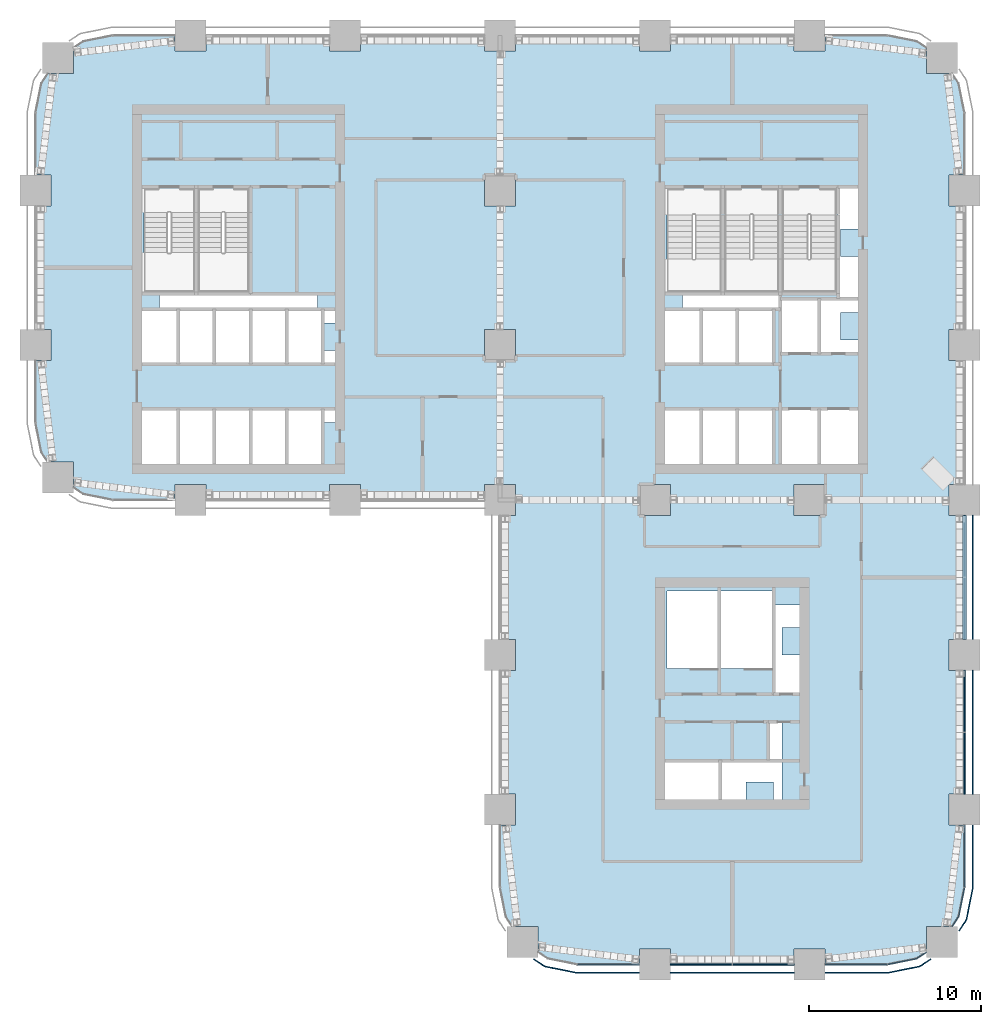
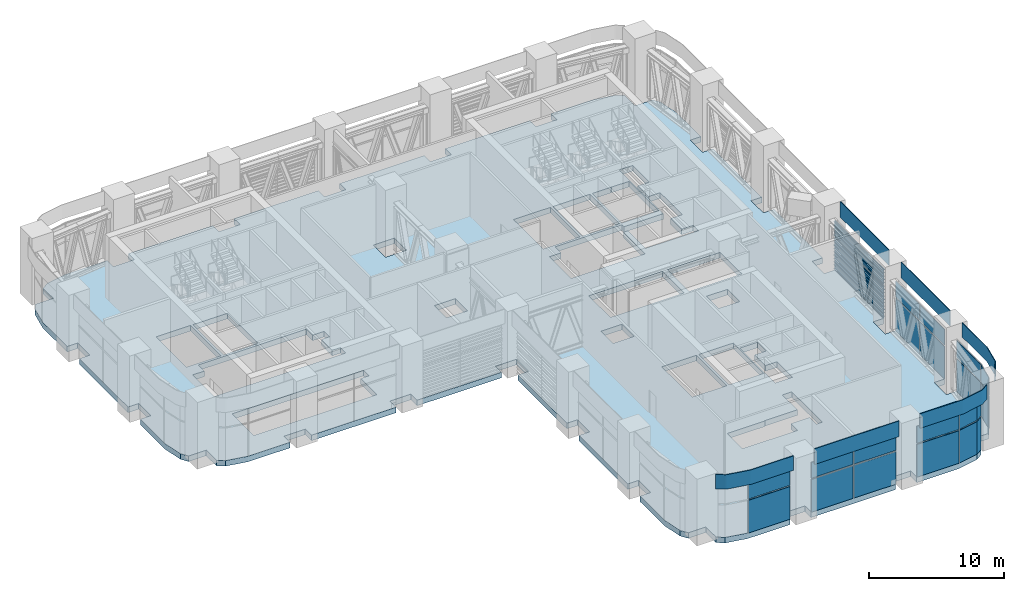
# One storey, part 11 of 24: 43 plates, 1 slab, 6 elements without a shape of their own.
"""IFC4 building model written with IfcOpenShell, lengths in metres."""

from ifc_helpers import new_model, si_unit, direction, frame, origin, origin_2d, place, context, subcontext, project, spatial, polyline, rectangle, outline, extrude, material, layer, layer_set, type_object, element, aggregate, save


model = new_model("IFC4")

# Units and contexts
model_context = context("Model", 3, precision=1e-05, world=origin(), true_north=direction((0.0, 1.0)))
body_context = subcontext(model_context, "Body", "Model", "MODEL_VIEW")
ifc_project = project(units=[si_unit("LENGTHUNIT", "METRE"), si_unit("AREAUNIT", "SQUARE_METRE"), si_unit("VOLUMEUNIT", "CUBIC_METRE"), si_unit("PLANEANGLEUNIT", "RADIAN"), si_unit("MASSUNIT", "GRAM", prefix="KILO")], contexts=[model_context])

# Site, building, storey
site_placement = place(None, origin())
site = spatial("IfcSite", under=ifc_project, at=site_placement, CompositionType="ELEMENT")
building_placement = place(site_placement, origin())
building = spatial("IfcBuilding", under=site, at=building_placement, Name="Tessera Arch", CompositionType="ELEMENT")
storey_placement = place(building_placement, frame((0.0, 0.0, 123.39990234375)))
storey = spatial("IfcBuildingStorey", under=building, at=storey_placement, Name="L29", CompositionType="ELEMENT", Elevation=123.39990234375)

# Curtain wall, plates
ifc_material_1 = material(Name="CW7 curtain wall")
curtain_wall_type = type_object("IfcCurtainWallType", Name="CW7 curtain wall", PredefinedType="NOTDEFINED", material=ifc_material_1)
curtain_wall_1_placement = place(storey_placement, origin())
curtain_wall_1 = element("IfcCurtainWall", 1, at=curtain_wall_1_placement, inside=storey, type_object=curtain_wall_type, Name="CW7 curtain wall S0.27/0 L29", PredefinedType="NOTDEFINED")
ifc_material_2 = material(Name="Pale anodised aluminium panel", Category="aluminium")
ifc_layer_1 = layer(ifc_material_2, 0.06005859375)
ifc_layer_set_1 = layer_set([ifc_layer_1], Name="CW7 plant wall panel")
plate_type_1 = type_object("IfcPlateType", Name="CW7 plant wall panel", PredefinedType="CURTAIN_PANEL", material=ifc_layer_set_1)
plate_1_placement = place(storey_placement, frame((33.31494140625, 0.0, 0.000244140625), z_axis=(0.0, 0.0, 1.0), x_axis=(1.0, 0.0, 0.0)))
plate_1 = element("IfcPlate", 2, at=plate_1_placement, type_object=plate_type_1, Name="CW7 plant wall panel S0.27/0 1.1", PredefinedType="CURTAIN_PANEL", context=body_context, shape_type="SweptSolid", body=[
    extrude(rectangle(XDim=3.570068359375, YDim=0.06005859375, at=origin_2d()), origin(), (0.0, 0.0, 1.0), 2.93994140625),
])
plate_2_placement = place(storey_placement, frame((33.31494140625, 0.0, 3.06005859375), z_axis=(0.0, 0.0, 1.0), x_axis=(1.0, 0.0, 0.0)))
plate_2 = element("IfcPlate", 3, at=plate_2_placement, type_object=plate_type_1, Name="CW7 plant wall panel S0.27/0 1.2", PredefinedType="CURTAIN_PANEL", context=body_context, shape_type="SweptSolid", body=[
    extrude(rectangle(XDim=3.570068359375, YDim=0.06005859375, at=origin_2d()), origin(), (0.0, 0.0, 1.0), 1.52001953125),
])

curtain_wall_2_placement = place(storey_placement, origin())
curtain_wall_2 = element("IfcCurtainWall", 4, at=curtain_wall_2_placement, inside=storey, type_object=curtain_wall_type, Name="CW7 curtain wall S0.27/1 L29", PredefinedType="NOTDEFINED")
plate_3_placement = place(storey_placement, frame((38.68505859375, 0.0, 0.000244140625), z_axis=(0.0, 0.0, 1.0), x_axis=(1.0, 0.0, 0.0)))
plate_3 = element("IfcPlate", 5, at=plate_3_placement, type_object=plate_type_1, Name="CW7 plant wall panel S0.27/1 1.1.1", PredefinedType="CURTAIN_PANEL", context=body_context, shape_type="SweptSolid", body=[
    extrude(rectangle(XDim=3.570068359375, YDim=0.06005859375, at=origin_2d()), origin(), (0.0, 0.0, 1.0), 2.93994140625),
])
plate_4_placement = place(storey_placement, frame((38.68505859375, 0.0, 3.06005859375), z_axis=(0.0, 0.0, 1.0), x_axis=(1.0, 0.0, 0.0)))
plate_4 = element("IfcPlate", 6, at=plate_4_placement, type_object=plate_type_1, Name="CW7 plant wall panel S0.27/1 1.1.2", PredefinedType="CURTAIN_PANEL", context=body_context, shape_type="SweptSolid", body=[
    extrude(rectangle(XDim=3.570068359375, YDim=0.06005859375, at=origin_2d()), origin(), (0.0, 0.0, 1.0), 1.409912109375),
])
plate_5_placement = place(storey_placement, frame((42.31494140625, 0.0, 0.000244140625), z_axis=(0.0, 0.0, 1.0), x_axis=(1.0, 0.0, 0.0)))
plate_5 = element("IfcPlate", 7, at=plate_5_placement, type_object=plate_type_1, Name="CW7 plant wall panel S0.27/1 1.2.1", PredefinedType="CURTAIN_PANEL", context=body_context, shape_type="SweptSolid", body=[
    extrude(rectangle(XDim=3.570068359375, YDim=0.06005859375, at=origin_2d()), origin(), (0.0, 0.0, 1.0), 2.93994140625),
])
plate_6_placement = place(storey_placement, frame((42.31494140625, 0.0, 3.06005859375), z_axis=(0.0, 0.0, 1.0), x_axis=(1.0, 0.0, 0.0)))
plate_6 = element("IfcPlate", 8, at=plate_6_placement, type_object=plate_type_1, Name="CW7 plant wall panel S0.27/1 1.2.2", PredefinedType="CURTAIN_PANEL", context=body_context, shape_type="SweptSolid", body=[
    extrude(rectangle(XDim=3.570068359375, YDim=0.06005859375, at=origin_2d()), origin(), (0.0, 0.0, 1.0), 1.409912109375),
])

curtain_wall_3_placement = place(storey_placement, origin())
curtain_wall_3 = element("IfcCurtainWall", 9, at=curtain_wall_3_placement, inside=storey, type_object=curtain_wall_type, Name="CW7 curtain wall S0.27/2 L29", PredefinedType="NOTDEFINED")
plate_7_placement = place(storey_placement, frame((47.68505859375, 0.0, 0.000244140625), z_axis=(0.0, 0.0, 1.0), x_axis=(1.0, 0.0, 0.0)))
plate_7 = element("IfcPlate", 10, at=plate_7_placement, type_object=plate_type_1, Name="CW7 plant wall panel S0.27/2 1.1", PredefinedType="CURTAIN_PANEL", context=body_context, shape_type="SweptSolid", body=[
    extrude(rectangle(XDim=3.570068359375, YDim=0.06005859375, at=origin_2d()), origin(), (0.0, 0.0, 1.0), 2.93994140625),
])
plate_8_placement = place(storey_placement, origin())
plate_8 = element("IfcPlate", 11, at=plate_8_placement, type_object=plate_type_1, Name="CW7 curved plant wall panel S0.27/2 2.1", PredefinedType="CURTAIN_PANEL", context=body_context, shape_type="SweptSolid", body=[
    extrude(outline(polyline([(51.21044921875, 0.370849609375), (49.523681640625, 0.03515625), (49.53515625, -0.023681640625), (51.23388671875, 0.314208984375), (51.798583984375, 0.691650390625), (51.765380859375, 0.74169921875), (51.21044921875, 0.370849609375)])), origin(), (0.0, 0.0, 1.0), 2.940185546875),
])
plate_9_placement = place(storey_placement, frame((47.68505859375, 0.0, 3.06005859375), z_axis=(0.0, 0.0, 1.0), x_axis=(1.0, 0.0, 0.0)))
plate_9 = element("IfcPlate", 12, at=plate_9_placement, type_object=plate_type_1, Name="CW7 plant wall panel S0.27/2 1.2", PredefinedType="CURTAIN_PANEL", context=body_context, shape_type="SweptSolid", body=[
    extrude(rectangle(XDim=3.570068359375, YDim=0.06005859375, at=origin_2d()), origin(), (0.0, 0.0, 1.0), 1.52001953125),
])
plate_10_placement = place(storey_placement, frame((0.0, 0.0, 3.06005859375)))
plate_10 = element("IfcPlate", 13, at=plate_10_placement, type_object=plate_type_1, Name="CW7 curved plant wall panel S0.27/2 2.2", PredefinedType="CURTAIN_PANEL", context=body_context, shape_type="SweptSolid", body=[
    extrude(outline(polyline([(51.21044921875, 0.370849609375), (49.523681640625, 0.03515625), (49.53515625, -0.023681640625), (51.23388671875, 0.314208984375), (51.798583984375, 0.691650390625), (51.765380859375, 0.74169921875), (51.21044921875, 0.370849609375)])), origin(), (0.0, 0.0, 1.0), 1.52001953125),
])

curtain_wall_4_placement = place(storey_placement, origin())
curtain_wall_4 = element("IfcCurtainWall", 14, at=curtain_wall_4_placement, inside=storey, type_object=curtain_wall_type, Name="CW7 curtain wall E54.0/0 L29", PredefinedType="NOTDEFINED")
plate_11_placement = place(storey_placement, frame((54.0, 6.31494140625, 0.000244140625), z_axis=(0.0, 0.0, 1.0), x_axis=(0.0, 1.0, 0.0)))
plate_11 = element("IfcPlate", 15, at=plate_11_placement, type_object=plate_type_1, Name="CW7 plant wall panel E54.0/0 1.1", PredefinedType="CURTAIN_PANEL", context=body_context, shape_type="SweptSolid", body=[
    extrude(rectangle(XDim=3.570068359375, YDim=0.06005859375, at=origin_2d()), origin(), (0.0, 0.0, 1.0), 2.93994140625),
])
plate_12_placement = place(storey_placement, origin())
plate_12 = element("IfcPlate", 16, at=plate_12_placement, type_object=plate_type_1, Name="CW7 curved plant wall panel E54.0/0 2.1", PredefinedType="CURTAIN_PANEL", context=body_context, shape_type="SweptSolid", body=[
    extrude(outline(polyline([(53.629150390625, 2.78955078125), (53.25830078125, 2.234619140625), (53.308349609375, 2.201416015625), (53.685791015625, 2.76611328125), (54.023681640625, 4.46484375), (53.96484375, 4.476318359375), (53.629150390625, 2.78955078125)])), origin(), (0.0, 0.0, 1.0), 2.940185546875),
])
plate_13_placement = place(storey_placement, frame((54.0, 6.31494140625, 3.06005859375), z_axis=(0.0, 0.0, 1.0), x_axis=(0.0, 1.0, 0.0)))
plate_13 = element("IfcPlate", 17, at=plate_13_placement, type_object=plate_type_1, Name="CW7 plant wall panel E54.0/0 1.2", PredefinedType="CURTAIN_PANEL", context=body_context, shape_type="SweptSolid", body=[
    extrude(rectangle(XDim=3.570068359375, YDim=0.06005859375, at=origin_2d()), origin(), (0.0, 0.0, 1.0), 1.52001953125),
])
plate_14_placement = place(storey_placement, frame((0.0, 0.0, 3.06005859375)))
plate_14 = element("IfcPlate", 18, at=plate_14_placement, type_object=plate_type_1, Name="CW7 curved plant wall panel E54.0/0 2.2", PredefinedType="CURTAIN_PANEL", context=body_context, shape_type="SweptSolid", body=[
    extrude(outline(polyline([(53.629150390625, 2.78955078125), (53.25830078125, 2.234619140625), (53.308349609375, 2.201416015625), (53.685791015625, 2.76611328125), (54.023681640625, 4.46484375), (53.96484375, 4.476318359375), (53.629150390625, 2.78955078125)])), origin(), (0.0, 0.0, 1.0), 1.52001953125),
])

curtain_wall_5_placement = place(storey_placement, origin())
curtain_wall_5 = element("IfcCurtainWall", 19, at=curtain_wall_5_placement, inside=storey, type_object=curtain_wall_type, Name="CW7 curtain wall E54.0/1 L29", PredefinedType="NOTDEFINED")
plate_15_placement = place(storey_placement, frame((54.0, 11.68505859375, 0.000244140625), z_axis=(0.0, 0.0, 1.0), x_axis=(0.0, 1.0, 0.0)))
plate_15 = element("IfcPlate", 20, at=plate_15_placement, type_object=plate_type_1, Name="CW7 plant wall panel E54.0/1 1.1.1", PredefinedType="CURTAIN_PANEL", context=body_context, shape_type="SweptSolid", body=[
    extrude(rectangle(XDim=3.570068359375, YDim=0.06005859375, at=origin_2d()), origin(), (0.0, 0.0, 1.0), 2.93994140625),
])
plate_16_placement = place(storey_placement, frame((54.0, 11.68505859375, 3.06005859375), z_axis=(0.0, 0.0, 1.0), x_axis=(0.0, 1.0, 0.0)))
plate_16 = element("IfcPlate", 21, at=plate_16_placement, type_object=plate_type_1, Name="CW7 plant wall panel E54.0/1 1.1.2", PredefinedType="CURTAIN_PANEL", context=body_context, shape_type="SweptSolid", body=[
    extrude(rectangle(XDim=3.570068359375, YDim=0.06005859375, at=origin_2d()), origin(), (0.0, 0.0, 1.0), 1.409912109375),
])
plate_17_placement = place(storey_placement, frame((54.0, 15.31494140625, 0.000244140625), z_axis=(0.0, 0.0, 1.0), x_axis=(0.0, 1.0, 0.0)))
plate_17 = element("IfcPlate", 22, at=plate_17_placement, type_object=plate_type_1, Name="CW7 plant wall panel E54.0/1 1.2.1", PredefinedType="CURTAIN_PANEL", context=body_context, shape_type="SweptSolid", body=[
    extrude(rectangle(XDim=3.570068359375, YDim=0.06005859375, at=origin_2d()), origin(), (0.0, 0.0, 1.0), 2.93994140625),
])
plate_18_placement = place(storey_placement, frame((54.0, 15.31494140625, 3.06005859375), z_axis=(0.0, 0.0, 1.0), x_axis=(0.0, 1.0, 0.0)))
plate_18 = element("IfcPlate", 23, at=plate_18_placement, type_object=plate_type_1, Name="CW7 plant wall panel E54.0/1 1.2.2", PredefinedType="CURTAIN_PANEL", context=body_context, shape_type="SweptSolid", body=[
    extrude(rectangle(XDim=3.570068359375, YDim=0.06005859375, at=origin_2d()), origin(), (0.0, 0.0, 1.0), 1.409912109375),
])

curtain_wall_6_placement = place(storey_placement, origin())
curtain_wall_6 = element("IfcCurtainWall", 24, at=curtain_wall_6_placement, inside=storey, type_object=curtain_wall_type, Name="CW7 curtain wall E54.0/2 L29", PredefinedType="NOTDEFINED")
plate_19_placement = place(storey_placement, frame((54.0, 20.68505859375, 0.000244140625), z_axis=(0.0, 0.0, 1.0), x_axis=(0.0, 1.0, 0.0)))
plate_19 = element("IfcPlate", 25, at=plate_19_placement, type_object=plate_type_1, Name="CW7 plant wall panel E54.0/2 1.1.1", PredefinedType="CURTAIN_PANEL", context=body_context, shape_type="SweptSolid", body=[
    extrude(rectangle(XDim=3.570068359375, YDim=0.06005859375, at=origin_2d()), origin(), (0.0, 0.0, 1.0), 2.93994140625),
])
plate_20_placement = place(storey_placement, frame((54.0, 20.68505859375, 3.06005859375), z_axis=(0.0, 0.0, 1.0), x_axis=(0.0, 1.0, 0.0)))
plate_20 = element("IfcPlate", 26, at=plate_20_placement, type_object=plate_type_1, Name="CW7 plant wall panel E54.0/2 1.1.2", PredefinedType="CURTAIN_PANEL", context=body_context, shape_type="SweptSolid", body=[
    extrude(rectangle(XDim=3.570068359375, YDim=0.06005859375, at=origin_2d()), origin(), (0.0, 0.0, 1.0), 1.409912109375),
])
plate_21_placement = place(storey_placement, frame((54.0, 24.31494140625, 0.000244140625), z_axis=(0.0, 0.0, 1.0), x_axis=(0.0, 1.0, 0.0)))
plate_21 = element("IfcPlate", 27, at=plate_21_placement, type_object=plate_type_1, Name="CW7 plant wall panel E54.0/2 1.2.1", PredefinedType="CURTAIN_PANEL", context=body_context, shape_type="SweptSolid", body=[
    extrude(rectangle(XDim=3.570068359375, YDim=0.06005859375, at=origin_2d()), origin(), (0.0, 0.0, 1.0), 2.93994140625),
])
plate_22_placement = place(storey_placement, frame((54.0, 24.31494140625, 3.06005859375), z_axis=(0.0, 0.0, 1.0), x_axis=(0.0, 1.0, 0.0)))
plate_22 = element("IfcPlate", 28, at=plate_22_placement, type_object=plate_type_1, Name="CW7 plant wall panel E54.0/2 1.2.2", PredefinedType="CURTAIN_PANEL", context=body_context, shape_type="SweptSolid", body=[
    extrude(rectangle(XDim=3.570068359375, YDim=0.06005859375, at=origin_2d()), origin(), (0.0, 0.0, 1.0), 1.409912109375),
])

# Plate
ifc_material_3 = material(Name="Pale anodised aluminium panel", Category="aluminium")
ifc_layer_2 = layer(ifc_material_3, 0.06005859375)
ifc_layer_set_2 = layer_set([ifc_layer_2], Name="CW7 spandrel panel")
plate_type_2 = type_object("IfcPlateType", Name="CW7 spandrel panel", PredefinedType="CURTAIN_PANEL", material=ifc_layer_set_2)
plate_23_placement = place(storey_placement, frame((0.0, 0.0, 4.7001953125)))
plate_23 = element("IfcPlate", 29, at=plate_23_placement, type_object=plate_type_2, Name="CW7 spandrel panel S0.27/0", PredefinedType="CURTAIN_PANEL", context=body_context, shape_type="SweptSolid", body=[
    extrude(outline(polyline([(29.52734375, -0.03125), (28.968017578125, 0.342529296875), (28.9345703125, 0.292724609375), (29.4951171875, -0.08203125), (29.537353515625, -0.107177734375), (29.582763671875, -0.128662109375), (29.6298828125, -0.1455078125), (29.677734375, -0.157470703125), (31.401123046875, -0.500244140625), (31.449951171875, -0.507568359375), (31.499267578125, -0.510009765625), (35.10009765625, -0.510009765625), (35.10009765625, -0.449951171875), (31.500732421875, -0.449951171875), (31.455810546875, -0.44775390625), (31.411376953125, -0.441162109375), (29.69091796875, -0.09912109375), (29.647216796875, -0.088134765625), (29.605712890625, -0.0732421875), (29.565673828125, -0.05419921875), (29.52734375, -0.03125)])), origin(), (0.0, 0.0, 1.0), 1.2998046875),
])

aggregate(curtain_wall_1, [plate_1, plate_2, plate_23])

plate_24_placement = place(storey_placement, frame((40.5, -0.47998046875, 4.59033203125), z_axis=(0.0, 0.0, 1.0), x_axis=(1.0, 0.0, 0.0)))
plate_24 = element("IfcPlate", 30, at=plate_24_placement, type_object=plate_type_2, Name="CW7 spandrel panel S0.27/1", PredefinedType="CURTAIN_PANEL", context=body_context, shape_type="SweptSolid", body=[
    extrude(rectangle(XDim=7.199951171875, YDim=0.06005859375, at=origin_2d()), origin(), (0.0, 0.0, 1.0), 1.409912109375),
])

aggregate(curtain_wall_2, [plate_3, plate_4, plate_5, plate_6, plate_24])

plate_25_placement = place(storey_placement, frame((0.0, 0.0, 4.7001953125)))
plate_25 = element("IfcPlate", 31, at=plate_25_placement, type_object=plate_type_2, Name="CW7 spandrel panel S0.27/2", PredefinedType="CURTAIN_PANEL", context=body_context, shape_type="SweptSolid", body=[
    extrude(outline(polyline([(49.499267578125, -0.449951171875), (45.89990234375, -0.449951171875), (45.89990234375, -0.510009765625), (49.500732421875, -0.510009765625), (49.550048828125, -0.507568359375), (49.598876953125, -0.500244140625), (51.322265625, -0.157470703125), (51.3701171875, -0.1455078125), (51.417236328125, -0.128662109375), (51.462646484375, -0.107177734375), (51.5048828125, -0.08203125), (52.0654296875, 0.292724609375), (52.031982421875, 0.342529296875), (51.47265625, -0.03125), (51.434326171875, -0.05419921875), (51.394287109375, -0.0732421875), (51.352783203125, -0.088134765625), (51.30908203125, -0.09912109375), (49.588623046875, -0.441162109375), (49.544189453125, -0.44775390625), (49.499267578125, -0.449951171875)])), origin(), (0.0, 0.0, 1.0), 1.2998046875),
])

aggregate(curtain_wall_3, [plate_7, plate_8, plate_9, plate_10, plate_25])

plate_26_placement = place(storey_placement, frame((0.0, 0.0, 4.7001953125)))
plate_26 = element("IfcPlate", 32, at=plate_26_placement, type_object=plate_type_2, Name="CW7 spandrel panel E54.0/0", PredefinedType="CURTAIN_PANEL", context=body_context, shape_type="SweptSolid", body=[
    extrude(outline(polyline([(54.03125, 2.52734375), (53.657470703125, 1.968017578125), (53.707275390625, 1.9345703125), (54.08203125, 2.4951171875), (54.107177734375, 2.537353515625), (54.128662109375, 2.582763671875), (54.1455078125, 2.6298828125), (54.157470703125, 2.677734375), (54.500244140625, 4.401123046875), (54.507568359375, 4.449951171875), (54.510009765625, 4.499267578125), (54.510009765625, 8.10009765625), (54.449951171875, 8.10009765625), (54.449951171875, 4.500732421875), (54.44775390625, 4.455810546875), (54.441162109375, 4.411376953125), (54.09912109375, 2.69091796875), (54.088134765625, 2.647216796875), (54.0732421875, 2.605712890625), (54.05419921875, 2.565673828125), (54.03125, 2.52734375)])), origin(), (0.0, 0.0, 1.0), 1.2998046875),
])

aggregate(curtain_wall_4, [plate_11, plate_12, plate_13, plate_14, plate_26])

plate_27_placement = place(storey_placement, frame((54.47998046875, 13.5, 4.59033203125), z_axis=(0.0, 0.0, 1.0), x_axis=(0.0, 1.0, 0.0)))
plate_27 = element("IfcPlate", 33, at=plate_27_placement, type_object=plate_type_2, Name="CW7 spandrel panel E54.0/1", PredefinedType="CURTAIN_PANEL", context=body_context, shape_type="SweptSolid", body=[
    extrude(rectangle(XDim=7.199951171875, YDim=0.06005859375, at=origin_2d()), origin(), (0.0, 0.0, 1.0), 1.409912109375),
])

aggregate(curtain_wall_5, [plate_15, plate_16, plate_17, plate_18, plate_27])

plate_28_placement = place(storey_placement, frame((54.47998046875, 22.5, 4.59033203125), z_axis=(0.0, 0.0, 1.0), x_axis=(0.0, 1.0, 0.0)))
plate_28 = element("IfcPlate", 34, at=plate_28_placement, type_object=plate_type_2, Name="CW7 spandrel panel E54.0/2", PredefinedType="CURTAIN_PANEL", context=body_context, shape_type="SweptSolid", body=[
    extrude(rectangle(XDim=7.199951171875, YDim=0.06005859375, at=origin_2d()), origin(), (0.0, 0.0, 1.0), 1.409912109375),
])

aggregate(curtain_wall_6, [plate_19, plate_20, plate_21, plate_22, plate_28])

# Slab
ifc_material_4 = material(Name="Concrete C40/50", Category="concrete")
ifc_layer_3 = layer(ifc_material_4, 0.5)
ifc_layer_set_3 = layer_set([ifc_layer_3], Name="Floor slab 500 Concrete C40/50")
slab_type = type_object("IfcSlabType", Name="Floor slab 500 Concrete C40/50", PredefinedType="FLOOR", material=ifc_layer_set_3)
slab_placement = place(storey_placement, frame((0.0, 0.0, -0.5)))
element("IfcSlab", 35, at=slab_placement, inside=storey, type_object=slab_type, Name="Floor slab L29 1", PredefinedType="FLOOR", context=body_context, shape_type="SweptSolid", body=[
    extrude(outline(polyline([(49.5, 54.0), (51.22216796875, 53.657470703125), (51.781982421875, 53.283447265625), (51.781982421875, 51.781982421875), (53.283447265625, 51.781982421875), (53.657470703125, 51.22216796875), (54.0, 49.5), (54.0, 45.89990234375), (53.10009765625, 45.89990234375), (53.10009765625, 44.10009765625), (54.0, 44.10009765625), (54.0, 36.89990234375), (53.10009765625, 36.89990234375), (53.10009765625, 35.10009765625), (54.0, 35.10009765625), (54.0, 27.89990234375), (53.10009765625, 27.89990234375), (53.10009765625, 26.10009765625), (54.0, 26.10009765625), (54.0, 18.89990234375), (53.10009765625, 18.89990234375), (53.10009765625, 17.10009765625), (54.0, 17.10009765625), (54.0, 9.89990234375), (53.10009765625, 9.89990234375), (53.10009765625, 8.10009765625), (54.0, 8.10009765625), (54.0, 4.5), (53.657470703125, 2.77783203125), (53.283447265625, 2.218017578125), (51.781982421875, 2.218017578125), (51.781982421875, 0.716552734375), (51.22216796875, 0.342529296875), (49.5, 0.0), (45.89990234375, 0.0), (45.89990234375, 0.89990234375), (44.10009765625, 0.89990234375), (44.10009765625, 0.0), (36.89990234375, 0.0), (36.89990234375, 0.89990234375), (35.10009765625, 0.89990234375), (35.10009765625, 0.0), (31.5, 0.0), (29.77783203125, 0.342529296875), (29.218017578125, 0.716552734375), (29.218017578125, 2.218017578125), (27.716552734375, 2.218017578125), (27.342529296875, 2.77783203125), (27.0, 4.5), (27.0, 8.10009765625), (27.89990234375, 8.10009765625), (27.89990234375, 9.89990234375), (27.0, 9.89990234375), (27.0, 17.10009765625), (27.89990234375, 17.10009765625), (27.89990234375, 18.89990234375), (27.0, 18.89990234375), (27.0, 26.10009765625), (27.89990234375, 26.10009765625), (27.89990234375, 27.89990234375), (26.10009765625, 27.89990234375), (26.10009765625, 27.0), (18.89990234375, 27.0), (18.89990234375, 27.89990234375), (17.10009765625, 27.89990234375), (17.10009765625, 27.0), (9.89990234375, 27.0), (9.89990234375, 27.89990234375), (8.10009765625, 27.89990234375), (8.10009765625, 27.0), (4.5, 27.0), (2.77783203125, 27.342529296875), (2.218017578125, 27.716552734375), (2.218017578125, 29.218017578125), (0.716552734375, 29.218017578125), (0.342529296875, 29.77783203125), (0.0, 31.5), (0.0, 35.10009765625), (0.89990234375, 35.10009765625), (0.89990234375, 36.89990234375), (0.0, 36.89990234375), (0.0, 44.10009765625), (0.89990234375, 44.10009765625), (0.89990234375, 45.89990234375), (0.0, 45.89990234375), (0.0, 49.5), (0.342529296875, 51.22216796875), (0.716552734375, 51.781982421875), (2.218017578125, 51.781982421875), (2.218017578125, 53.283447265625), (2.77783203125, 53.657470703125), (4.5, 54.0), (8.10009765625, 54.0), (8.10009765625, 53.10009765625), (9.89990234375, 53.10009765625), (9.89990234375, 54.0), (17.10009765625, 54.0), (17.10009765625, 53.10009765625), (18.89990234375, 53.10009765625), (18.89990234375, 54.0), (26.10009765625, 54.0), (26.10009765625, 53.10009765625), (27.89990234375, 53.10009765625), (27.89990234375, 54.0), (35.10009765625, 54.0), (35.10009765625, 53.10009765625), (36.89990234375, 53.10009765625), (36.89990234375, 54.0), (44.10009765625, 54.0), (44.10009765625, 53.10009765625), (45.89990234375, 53.10009765625), (45.89990234375, 54.0), (49.5, 54.0)]), holes=[polyline([(6.199951171875, 32.300048828125), (6.199951171875, 29.10009765625), (8.300048828125, 29.10009765625), (10.39990234375, 29.10009765625), (12.5, 29.10009765625), (14.60009765625, 29.10009765625), (16.699951171875, 29.10009765625), (16.699951171875, 31.5), (17.39990234375, 31.5), (17.39990234375, 32.300048828125), (16.699951171875, 32.300048828125), (14.60009765625, 32.300048828125), (12.5, 32.300048828125), (10.39990234375, 32.300048828125), (8.300048828125, 32.300048828125), (6.199951171875, 32.300048828125)]), polyline([(14.60009765625, 34.89990234375), (16.699951171875, 34.89990234375), (17.39990234375, 34.89990234375), (17.39990234375, 35.699951171875), (16.699951171875, 35.699951171875), (16.699951171875, 37.300048828125), (17.39990234375, 37.300048828125), (17.39990234375, 38.10009765625), (16.699951171875, 38.10009765625), (16.39990234375, 38.10009765625), (16.39990234375, 39.0), (7.199951171875, 39.0), (7.199951171875, 38.10009765625), (6.199951171875, 38.10009765625), (6.199951171875, 34.89990234375), (8.300048828125, 34.89990234375), (10.39990234375, 34.89990234375), (12.5, 34.89990234375), (14.60009765625, 34.89990234375)]), polyline([(11.0, 43.699951171875), (10.85009765625, 43.699951171875), (10.85009765625, 43.68994140625), (9.449951171875, 43.68994140625), (9.449951171875, 39.199951171875), (12.39990234375, 39.199951171875), (12.39990234375, 43.68994140625), (11.0, 43.68994140625), (11.0, 43.699951171875)]), polyline([(7.85009765625, 43.699951171875), (7.699951171875, 43.699951171875), (7.699951171875, 43.68994140625), (6.300048828125, 43.68994140625), (6.300048828125, 39.199951171875), (9.25, 39.199951171875), (9.25, 43.68994140625), (7.85009765625, 43.68994140625), (7.85009765625, 43.699951171875)]), polyline([(43.39990234375, 9.60009765625), (43.39990234375, 11.89990234375), (43.39990234375, 14.10009765625), (42.60009765625, 14.10009765625), (42.60009765625, 11.89990234375), (39.800048828125, 11.89990234375), (39.800048828125, 11.85009765625), (36.60009765625, 11.85009765625), (36.60009765625, 9.60009765625), (39.800048828125, 9.60009765625), (41.300048828125, 9.60009765625), (41.300048828125, 10.60009765625), (42.89990234375, 10.60009765625), (42.89990234375, 9.60009765625), (43.39990234375, 9.60009765625)]), polyline([(39.85009765625, 17.2099609375), (41.25, 17.2099609375), (41.25, 17.199951171875), (42.800048828125, 17.199951171875), (42.800048828125, 21.699951171875), (39.85009765625, 21.699951171875), (39.85009765625, 17.2099609375)]), polyline([(36.699951171875, 17.2099609375), (38.10009765625, 17.2099609375), (38.10009765625, 17.199951171875), (39.64990234375, 17.199951171875), (39.64990234375, 21.699951171875), (36.699951171875, 21.699951171875), (36.699951171875, 17.2099609375)]), polyline([(35.10009765625, 26.10009765625), (36.89990234375, 26.10009765625), (36.89990234375, 27.89990234375), (35.10009765625, 27.89990234375), (35.10009765625, 26.10009765625)]), polyline([(38.699951171875, 29.10009765625), (40.800048828125, 29.10009765625), (42.89990234375, 29.10009765625), (42.89990234375, 32.300048828125), (40.800048828125, 32.300048828125), (38.699951171875, 32.300048828125), (36.60009765625, 32.300048828125), (36.60009765625, 29.10009765625), (38.699951171875, 29.10009765625)]), polyline([(26.10009765625, 35.10009765625), (27.89990234375, 35.10009765625), (27.89990234375, 36.89990234375), (26.10009765625, 36.89990234375), (26.10009765625, 35.10009765625)]), polyline([(43.300048828125, 39.0), (37.60009765625, 39.0), (37.60009765625, 38.10009765625), (36.60009765625, 38.10009765625), (36.60009765625, 34.89990234375), (38.699951171875, 34.89990234375), (40.800048828125, 34.89990234375), (42.89990234375, 34.89990234375), (42.89990234375, 38.10009765625), (43.300048828125, 38.10009765625), (43.300048828125, 35.5), (45.550048828125, 35.5), (47.800048828125, 35.5), (47.800048828125, 36.300048828125), (46.800048828125, 36.300048828125), (46.800048828125, 37.89990234375), (47.800048828125, 37.89990234375), (47.800048828125, 38.699951171875), (47.800048828125, 41.14990234375), (46.800048828125, 41.14990234375), (46.800048828125, 42.75), (47.800048828125, 42.75), (47.800048828125, 45.199951171875), (46.64990234375, 45.199951171875), (46.64990234375, 38.699951171875), (45.550048828125, 38.699951171875), (43.300048828125, 38.699951171875), (43.300048828125, 39.0)]), polyline([(38.330078125, 43.580078125), (38.219970703125, 43.580078125), (38.219970703125, 43.570068359375), (36.699951171875, 43.570068359375), (36.699951171875, 39.199951171875), (39.85009765625, 39.199951171875), (39.85009765625, 43.570068359375), (38.330078125, 43.570068359375), (38.330078125, 43.580078125)]), polyline([(26.10009765625, 44.10009765625), (27.89990234375, 44.10009765625), (27.89990234375, 45.89990234375), (26.10009765625, 45.89990234375), (26.10009765625, 44.10009765625)]), polyline([(42.89990234375, 15.699951171875), (44.39990234375, 15.699951171875), (44.39990234375, 18.0), (43.39990234375, 18.0), (43.39990234375, 19.60009765625), (44.39990234375, 19.60009765625), (44.39990234375, 20.89990234375), (42.89990234375, 20.89990234375), (42.89990234375, 15.699951171875)]), polyline([(44.10009765625, 26.10009765625), (45.89990234375, 26.10009765625), (45.89990234375, 27.89990234375), (44.10009765625, 27.89990234375), (44.10009765625, 26.10009765625)]), polyline([(45.550048828125, 29.10009765625), (47.800048828125, 29.10009765625), (47.800048828125, 32.300048828125), (45.550048828125, 32.300048828125), (43.300048828125, 32.300048828125), (43.300048828125, 29.10009765625), (45.550048828125, 29.10009765625)]), polyline([(45.030029296875, 43.580078125), (44.919921875, 43.580078125), (44.919921875, 43.570068359375), (43.39990234375, 43.570068359375), (43.39990234375, 39.199951171875), (46.550048828125, 39.199951171875), (46.550048828125, 43.570068359375), (45.030029296875, 43.570068359375), (45.030029296875, 43.580078125)]), polyline([(41.679931640625, 43.580078125), (41.570068359375, 43.580078125), (41.570068359375, 43.570068359375), (40.050048828125, 43.570068359375), (40.050048828125, 39.199951171875), (43.199951171875, 39.199951171875), (43.199951171875, 43.570068359375), (41.679931640625, 43.570068359375), (41.679931640625, 43.580078125)])]), origin(), (0.0, 0.0, 1.0), 0.5),
])

# Plates
ifc_material_5 = material(Name="Aluminium louvre pale metal anodised", Category="aluminium")
ifc_layer_4 = layer(ifc_material_5, 0.02001953125)
ifc_layer_set_4 = layer_set([ifc_layer_4], Name="Plant louvre blade")
plate_type_3 = type_object("IfcPlateType", Name="Plant louvre blade", PredefinedType="USERDEFINED", material=ifc_layer_set_4)
plate_29_placement = place(storey_placement, frame((54.125, 18.89990234375, 0.150146484375), z_axis=(0.269874067237, 0.0, 0.962895626656), x_axis=(0.0, 1.0, 0.0)))
element("IfcPlate", 36, at=plate_29_placement, inside=storey, type_object=plate_type_3, Name="Louvre blade E54.0/2 1", ObjectType="LOUVER", PredefinedType="USERDEFINED", context=body_context, shape_type="SweptSolid", body=[
    extrude(outline(polyline([(0.0, 0.0), (7.2001953125, 0.0), (7.2001953125, 0.25963353979311715), (0.0, 0.25963353979311715), (0.0, 0.0)])), origin(), (0.0, 0.0, -1.0), 0.02001953125),
])
plate_30_placement = place(storey_placement, frame((54.125, 18.89990234375, 0.4501953125), z_axis=(0.269001893813, 0.0, 0.963139647779), x_axis=(0.0, 1.0, 0.0)))
element("IfcPlate", 37, at=plate_30_placement, inside=storey, type_object=plate_type_3, Name="Louvre blade E54.0/2 2", ObjectType="LOUVER", PredefinedType="USERDEFINED", context=body_context, shape_type="SweptSolid", body=[
    extrude(outline(polyline([(0.0, 0.0), (7.2001953125, 0.0), (7.2001953125, 0.25956775902266416), (0.0, 0.25956775902266416), (0.0, 0.0)])), origin(), (0.0, 0.0, -1.0), 0.02001953125),
])
for number, where, z_axis, x_axis, name in (
    (38, (54.125, 18.89990234375, 0.75), (0.269874067237, 0.0, 0.962895626656), (0.0, 1.0, 0.0), "Louvre blade E54.0/2 3"),
    (39, (54.125, 18.89990234375, 1.050048828125), (0.269874067237, 0.0, 0.962895626656), (0.0, 1.0, 0.0), "Louvre blade E54.0/2 4"),
    (40, (54.125, 18.89990234375, 1.35009765625), (0.269874067237, 0.0, 0.962895626656), (0.0, 1.0, 0.0), "Louvre blade E54.0/2 5"),
    (41, (54.125, 18.89990234375, 1.650146484375), (0.269874067237, 0.0, 0.962895626656), (0.0, 1.0, 0.0), "Louvre blade E54.0/2 6"),
):
    element("IfcPlate", number, at=place(storey_placement, frame(where, z_axis=z_axis, x_axis=x_axis)), inside=storey, type_object=plate_type_3, Name=name, ObjectType="LOUVER", PredefinedType="USERDEFINED", context=body_context, shape_type="SweptSolid", body=[
        extrude(outline(polyline([(0.0, 0.0), (7.2001953125, 0.0), (7.2001953125, 0.25963353979311715), (0.0, 0.25963353979311715), (0.0, 0.0)])), origin(), (0.0, 0.0, -1.0), 0.02001953125),
    ])
plate_31_placement = place(storey_placement, frame((54.125, 18.89990234375, 1.9501953125), z_axis=(0.269001893813, 0.0, 0.963139647779), x_axis=(0.0, 1.0, 0.0)))
element("IfcPlate", 42, at=plate_31_placement, inside=storey, type_object=plate_type_3, Name="Louvre blade E54.0/2 7", ObjectType="LOUVER", PredefinedType="USERDEFINED", context=body_context, shape_type="SweptSolid", body=[
    extrude(outline(polyline([(0.0, 0.0), (7.2001953125, 0.0), (7.2001953125, 0.25956775902266416), (0.0, 0.25956775902266416), (0.0, 0.0)])), origin(), (0.0, 0.0, -1.0), 0.02001953125),
])
for number, where, z_axis, x_axis, name in (
    (43, (54.125, 18.89990234375, 2.25), (0.269874067237, 0.0, 0.962895626656), (0.0, 1.0, 0.0), "Louvre blade E54.0/2 8"),
    (44, (54.125, 18.89990234375, 2.550048828125), (0.269874067237, 0.0, 0.962895626656), (0.0, 1.0, 0.0), "Louvre blade E54.0/2 9"),
    (45, (54.125, 18.89990234375, 2.85009765625), (0.269874067237, 0.0, 0.962895626656), (0.0, 1.0, 0.0), "Louvre blade E54.0/2 10"),
    (46, (54.125, 18.89990234375, 3.150146484375), (0.269874067237, 0.0, 0.962895626656), (0.0, 1.0, 0.0), "Louvre blade E54.0/2 11"),
):
    element("IfcPlate", number, at=place(storey_placement, frame(where, z_axis=z_axis, x_axis=x_axis)), inside=storey, type_object=plate_type_3, Name=name, ObjectType="LOUVER", PredefinedType="USERDEFINED", context=body_context, shape_type="SweptSolid", body=[
        extrude(outline(polyline([(0.0, 0.0), (7.2001953125, 0.0), (7.2001953125, 0.25963353979311715), (0.0, 0.25963353979311715), (0.0, 0.0)])), origin(), (0.0, 0.0, -1.0), 0.02001953125),
    ])
plate_32_placement = place(storey_placement, frame((54.125, 18.89990234375, 3.4501953125), z_axis=(0.269001893813, 0.0, 0.963139647779), x_axis=(0.0, 1.0, 0.0)))
element("IfcPlate", 47, at=plate_32_placement, inside=storey, type_object=plate_type_3, Name="Louvre blade E54.0/2 12", ObjectType="LOUVER", PredefinedType="USERDEFINED", context=body_context, shape_type="SweptSolid", body=[
    extrude(outline(polyline([(0.0, 0.0), (7.2001953125, 0.0), (7.2001953125, 0.25956775902266416), (0.0, 0.25956775902266416), (0.0, 0.0)])), origin(), (0.0, 0.0, -1.0), 0.02001953125),
])
for number, where, z_axis, x_axis, name in (
    (48, (54.125, 18.89990234375, 3.75), (0.269874067237, 0.0, 0.962895626656), (0.0, 1.0, 0.0), "Louvre blade E54.0/2 13"),
    (49, (54.125, 18.89990234375, 4.050048828125), (0.269874067237, 0.0, 0.962895626656), (0.0, 1.0, 0.0), "Louvre blade E54.0/2 14"),
    (50, (54.125, 18.89990234375, 4.35009765625), (0.269874067237, 0.0, 0.962895626656), (0.0, 1.0, 0.0), "Louvre blade E54.0/2 15"),
):
    element("IfcPlate", number, at=place(storey_placement, frame(where, z_axis=z_axis, x_axis=x_axis)), inside=storey, type_object=plate_type_3, Name=name, ObjectType="LOUVER", PredefinedType="USERDEFINED", context=body_context, shape_type="SweptSolid", body=[
        extrude(outline(polyline([(0.0, 0.0), (7.2001953125, 0.0), (7.2001953125, 0.25963353979311715), (0.0, 0.25963353979311715), (0.0, 0.0)])), origin(), (0.0, 0.0, -1.0), 0.02001953125),
    ])

save(model, "model.ifc")
